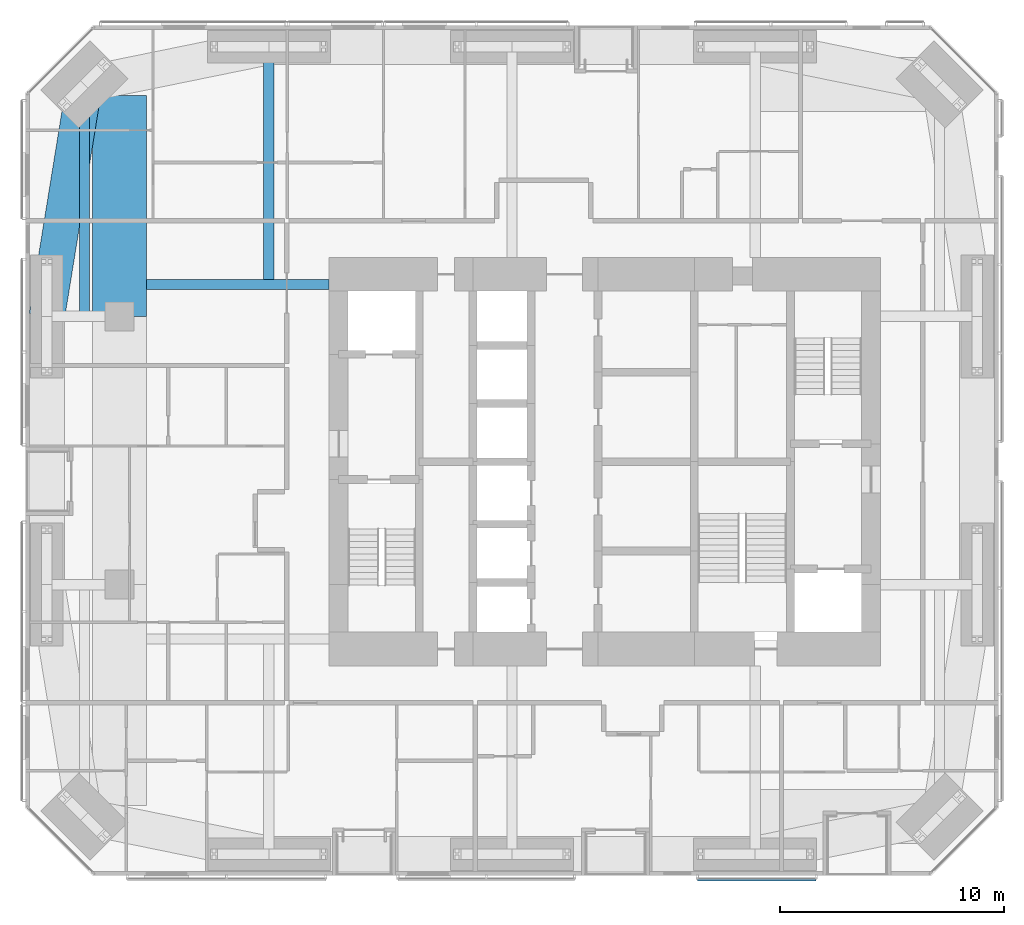
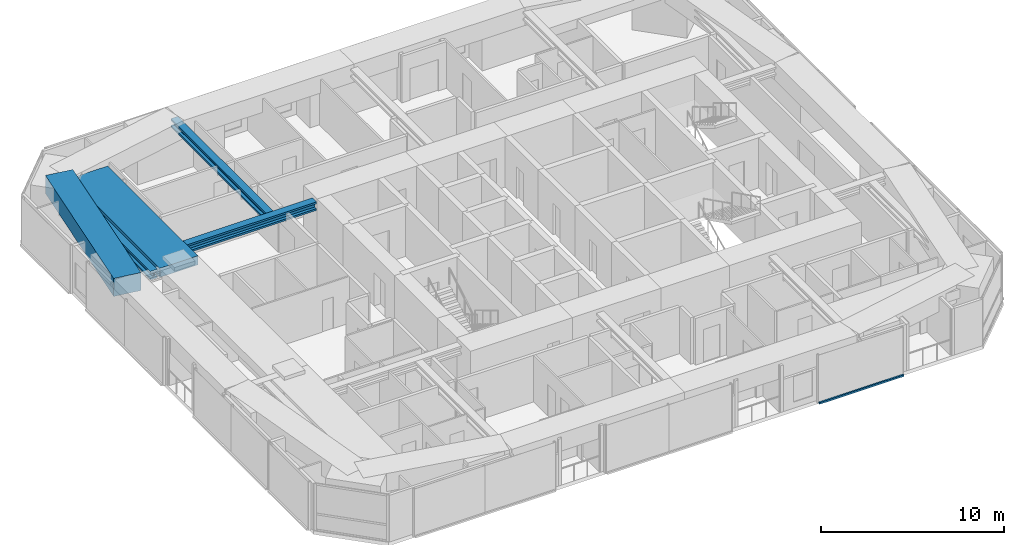
# One storey, part 7 of 23: 5 beams, 1 member, 1 element without a shape of its own.
"""IFC4 building model written with IfcOpenShell, lengths in metres."""

from ifc_helpers import new_model, si_unit, direction, frame, origin, origin_2d, place, context, subcontext, project, spatial, rectangle, i_section, extrude, material, material_profile, profile_set, type_object, element, aggregate, save


model = new_model("IFC4")

# Units and contexts
model_context = context("Model", 3, precision=1e-05, world=origin(), true_north=direction((0.0, 1.0)))
body_context = subcontext(model_context, "Body", "Model", "MODEL_VIEW")
ifc_project = project(units=[si_unit("LENGTHUNIT", "METRE"), si_unit("AREAUNIT", "SQUARE_METRE"), si_unit("VOLUMEUNIT", "CUBIC_METRE"), si_unit("PLANEANGLEUNIT", "RADIAN"), si_unit("MASSUNIT", "GRAM", prefix="KILO")], contexts=[model_context])

# Site, building, storey
site_placement = place(None, origin())
site = spatial("IfcSite", under=ifc_project, at=site_placement, CompositionType="ELEMENT")
building_placement = place(site_placement, origin())
building = spatial("IfcBuilding", under=site, at=building_placement, Name="Jalousie Tower", CompositionType="ELEMENT")
storey_placement = place(building_placement, frame((0.0, 0.0, 104.85009765625)))
storey = spatial("IfcBuildingStorey", under=building, at=storey_placement, Name="L28", CompositionType="ELEMENT", Elevation=104.85009765625)

# Beams
ifc_material_1 = material(Name="Steel ASTM A992 Grade 50", Category="steel")
ifc_material_profile_1 = material_profile(ifc_material_1, i_section(OverallWidth=0.45458984375, OverallDepth=0.569091796875, WebThickness=0.077880859375, FlangeThickness=0.124755859375, at=origin_2d()), Name="W14X730")
ifc_profile_set_1 = profile_set([ifc_material_profile_1], Name="Steel ASTM A992 Grade 50")
beam_type_1 = type_object("IfcBeamType", Name="LEAN COLLECTOR W14X730", PredefinedType="BEAM", material=ifc_profile_set_1)
beam_1_placement = place(storey_placement, frame((11.39990234375, 26.425048828125, 2.825439453125), z_axis=(1.0, 0.0, 0.0), x_axis=(0.0, 1.0, 0.0)))
element("IfcBeam", 1, at=beam_1_placement, inside=storey, type_object=beam_type_1, Name="Lean collector under L29", PredefinedType="BEAM", context=body_context, shape_type="SweptSolid", body=[
    extrude(i_section(OverallWidth=0.45458984375, OverallDepth=0.569091796875, WebThickness=0.077880859375, FlangeThickness=0.124755859375, at=origin_2d()), origin(), (0.0, 0.0, 1.0), 8.175048828125),
])
beam_2_placement = place(storey_placement, frame((8.63134765625, 35.36865234375, 2.825439453125), z_axis=(0.0, -1.0, 0.0), x_axis=(1.0, 0.0, 0.0)))
element("IfcBeam", 2, at=beam_2_placement, inside=storey, type_object=beam_type_1, Name="Lean collector under L29", PredefinedType="BEAM", context=body_context, shape_type="SweptSolid", body=[
    extrude(i_section(OverallWidth=0.45458984375, OverallDepth=0.569091796875, WebThickness=0.077880859375, FlangeThickness=0.124755859375, at=origin_2d()), origin(), (0.0, 0.0, 1.0), 10.36865234375),
])
beam_3_placement = place(storey_placement, frame((16.875, 37.050048828125, 2.825439453125), z_axis=(0.0, -1.0, 0.0), x_axis=(1.0, 0.0, 0.0)))
element("IfcBeam", 3, at=beam_3_placement, inside=storey, type_object=beam_type_1, Name="Lean collector under L29", PredefinedType="BEAM", context=body_context, shape_type="SweptSolid", body=[
    extrude(i_section(OverallWidth=0.45458984375, OverallDepth=0.569091796875, WebThickness=0.077880859375, FlangeThickness=0.124755859375, at=origin_2d()), origin(), (0.0, 0.0, 1.0), 10.625),
])
ifc_material_2 = material(Name="Concrete f'c 40 MPa", Category="concrete")
ifc_material_profile_2 = material_profile(ifc_material_2, rectangle(XDim=1.60009765625, YDim=1.199951171875, at=origin_2d()), Name="RC 1600x1200")
ifc_profile_set_2 = profile_set([ifc_material_profile_2], Name="Concrete f'c 40 MPa")
beam_type_2 = type_object("IfcBeamType", Name="RC BEAM 1600x1200", PredefinedType="BEAM", material=ifc_profile_set_2)
beam_4_placement = place(storey_placement, frame((8.63134765625, 35.36865234375, 2.75), z_axis=(-0.160070546476, -0.987105577003, 0.0), x_axis=(0.987105577003, -0.160070546476, 0.0)))
element("IfcBeam", 4, at=beam_4_placement, inside=storey, type_object=beam_type_2, Name="Edge band beam 12-13 under L29", PredefinedType="BEAM", context=body_context, shape_type="SweptSolid", body=[
    extrude(rectangle(XDim=1.60009765625, YDim=1.199951171875, at=origin_2d()), origin(), (0.0, 0.0, 1.0), 10.504150390625),
])
ifc_material_3 = material(Name="Concrete f'c 40 MPa", Category="concrete")
ifc_material_profile_3 = material_profile(ifc_material_3, rectangle(XDim=2.39990234375, YDim=0.60009765625, at=origin_2d()), Name="RC 2400x600")
ifc_profile_set_3 = profile_set([ifc_material_profile_3], Name="Concrete f'c 40 MPa")
beam_type_3 = type_object("IfcBeamType", Name="RC BEAM 2400x600", PredefinedType="BEAM", material=ifc_profile_set_3)
beam_5_placement = place(storey_placement, frame((10.199951171875, 25.0, 2.809814453125), z_axis=(0.0, 1.0, 0.0), x_axis=(-1.0, 0.0, 0.0)))
element("IfcBeam", 5, at=beam_5_placement, inside=storey, type_object=beam_type_3, Name="Floor band beam under L29", PredefinedType="BEAM", context=body_context, shape_type="SweptSolid", body=[
    extrude(rectangle(XDim=2.39990234375, YDim=0.60009765625, at=origin_2d()), origin(), (0.0, 0.0, 1.0), 9.8720703125),
])

# Curtain wall, member
ifc_material_4 = material(Name="Perforated aluminium sheet", Category="aluminium")
curtain_wall_type = type_object("IfcCurtainWallType", Name="SOLAR SCREEN SS-1", PredefinedType="USERDEFINED", material=ifc_material_4)
curtain_wall_placement = place(storey_placement, origin())
curtain_wall = element("IfcCurtainWall", 6, at=curtain_wall_placement, inside=storey, type_object=curtain_wall_type, Name="Solar screen L28", ObjectType="SOLAR SCREEN SS-1", PredefinedType="USERDEFINED")
ifc_material_5 = material(Name="Extruded aluminium screen rail", Category="aluminium")
ifc_material_profile_4 = material_profile(ifc_material_5, rectangle(XDim=0.1015625, YDim=0.1201171875, at=origin_2d()), Name="RAIL 102x120")
ifc_profile_set_4 = profile_set([ifc_material_profile_4], Name="Extruded aluminium screen rail")
member_type = type_object("IfcMemberType", Name="SOLAR SCREEN SS-1 TRANSOM", PredefinedType="USERDEFINED", material=ifc_profile_set_4)
member_placement = place(storey_placement, frame((36.0400390625, -0.1982421875, -0.06005859375), z_axis=(1.0, 0.0, 0.0), x_axis=(0.0, 1.0, 0.0)))
member = element("IfcMember", 7, at=member_placement, type_object=member_type, Name="SS1 rail", ObjectType="TRANSOM", PredefinedType="USERDEFINED", context=body_context, shape_type="SweptSolid", body=[
    extrude(rectangle(XDim=0.1015625, YDim=0.1201171875, at=origin_2d()), origin(), (0.0, 0.0, 1.0), 5.31005859375),
])
aggregate(curtain_wall, [member])

save(model, "model.ifc")
